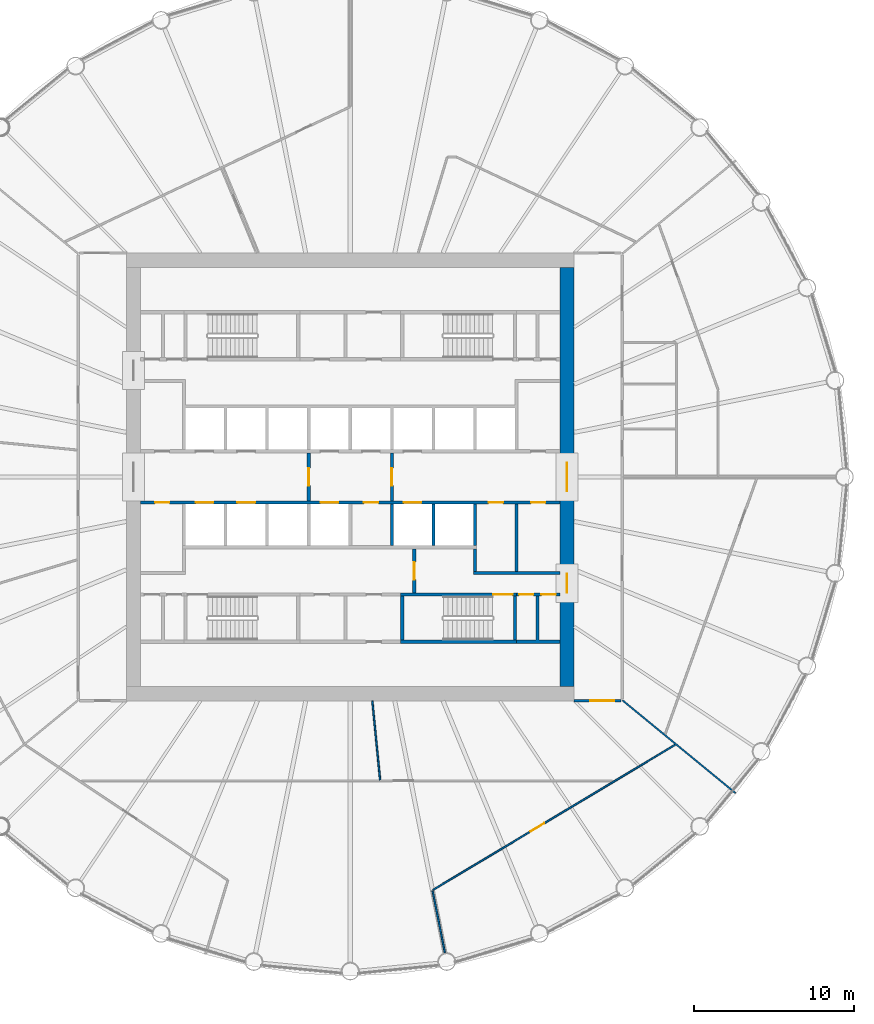
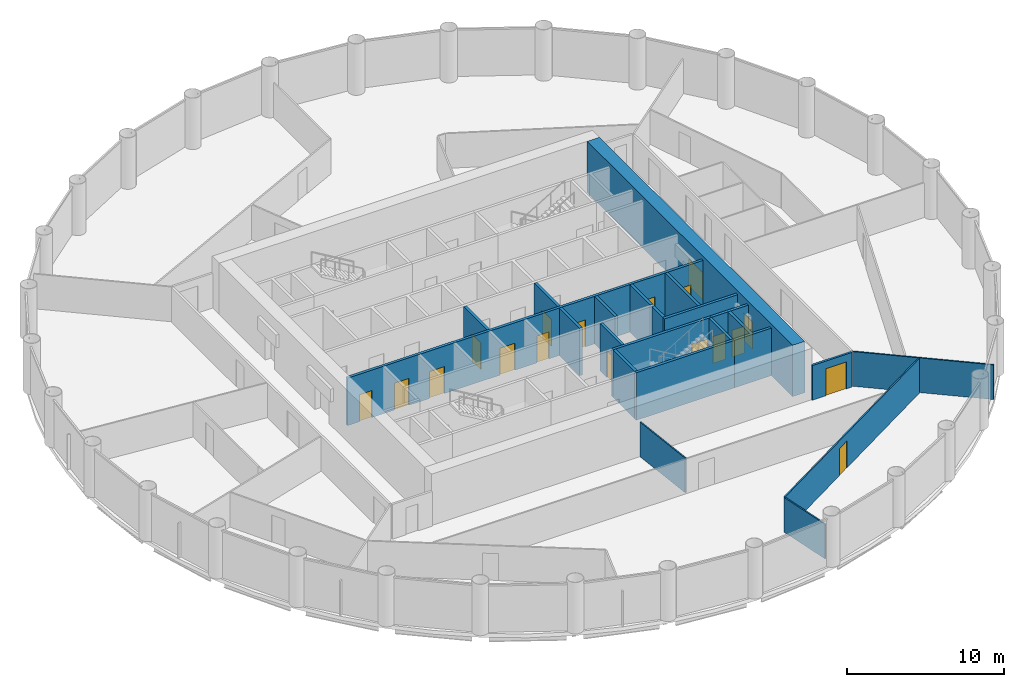
# One storey, part 5 of 8: 22 walls, 18 doors, 18 openings.
"""IFC4 building model written with IfcOpenShell, lengths in metres."""

from ifc_helpers import new_model, si_unit, direction, frame, frame_2d, origin, place, context, subcontext, project, spatial, polyline, rectangle, outline, extrude, material, layer, layer_set, type_object, element, fill, save


model = new_model("IFC4")

# Units and contexts
model_context = context("Model", 3, precision=1e-05, world=origin(), true_north=direction((0.0, 1.0)))
body_context = subcontext(model_context, "Body", "Model", "MODEL_VIEW")
ifc_project = project(units=[si_unit("LENGTHUNIT", "METRE"), si_unit("AREAUNIT", "SQUARE_METRE"), si_unit("VOLUMEUNIT", "CUBIC_METRE"), si_unit("PLANEANGLEUNIT", "RADIAN"), si_unit("MASSUNIT", "GRAM", prefix="KILO")], contexts=[model_context])

# Site, building, storey
site_placement = place(None, origin())
site = spatial("IfcSite", under=ifc_project, at=site_placement, CompositionType="ELEMENT")
building_placement = place(site_placement, origin())
building = spatial("IfcBuilding", under=site, at=building_placement, Name="Corvane Civic Tower", CompositionType="ELEMENT")
storey_placement = place(building_placement, frame((0.0, 0.0, 152.0)))
storey = spatial("IfcBuildingStorey", under=building, at=storey_placement, Name="L35", CompositionType="ELEMENT", Elevation=152.0)

# Wall, openings, doors
ifc_material_1 = material(Name="Concrete C60/75", Category="concrete")
ifc_layer_1 = layer(ifc_material_1, 0.89990234375)
ifc_layer_set_1 = layer_set([ifc_layer_1], Name="Concrete C60/75")
wall_type_1 = type_object("IfcWallType", Name="CORE WALL 900 C60/75", PredefinedType="SHEAR", material=ifc_layer_set_1)
wall_1_placement = place(storey_placement, frame((13.550048828125, -13.10009765625, 0.0), z_axis=(0.0, 0.0, 1.0), x_axis=(0.0, 1.0, 0.0)))
wall_1 = element("IfcWall", 1, at=wall_1_placement, inside=storey, type_object=wall_type_1, Name="W-L35-core-E", PredefinedType="SHEAR", context=body_context, shape_type="SweptSolid", body=[
    extrude(rectangle(XDim=26.2001953125, YDim=0.89990234375, at=frame_2d((13.10009765625, 0.0))), origin(), (0.0, 0.0, 1.0), 4.0),
])
opening_1_placement = place(wall_1_placement, frame((12.199951171875, 0.0, 0.0)))
opening_1 = element("IfcOpeningElement", 2, at=opening_1_placement, cuts=wall_1, Name="Opening L35.C29", PredefinedType="OPENING", context=body_context, shape_type="SweptSolid", body=[
    extrude(rectangle(XDim=1.800048828125, YDim=2.10009765625, at=frame_2d((0.89990234375, 1.050048828125))), frame((0.0, 0.4599609375, 0.0), z_axis=(0.0, -1.0, 0.0), x_axis=(1.0, 0.0, 0.0)), (0.0, 0.0, 1.0), 0.919921875),
])
opening_2_placement = place(wall_1_placement, frame((5.85009765625, 0.0, 0.0)))
opening_2 = element("IfcOpeningElement", 3, at=opening_2_placement, cuts=wall_1, Name="Opening L35.C31", PredefinedType="OPENING", context=body_context, shape_type="SweptSolid", body=[
    extrude(rectangle(XDim=1.199951171875, YDim=2.10009765625, at=frame_2d((0.60009765625, 1.050048828125))), frame((0.0, 0.4599609375, 0.0), z_axis=(0.0, -1.0, 0.0), x_axis=(1.0, 0.0, 0.0)), (0.0, 0.0, 1.0), 0.919921875),
])
ifc_material_2 = material(Name="Steel fire door leaf", Category="steel")
door_type_1 = type_object("IfcDoorType", Name="CR-DOOR-CORE-1800", OperationType="DOUBLE_DOOR_SINGLE_SWING", PredefinedType="DOOR", material=ifc_material_2)
door_1_placement = place(opening_1_placement, origin())
door_1 = element("IfcDoor", 4, at=door_1_placement, inside=storey, type_object=door_type_1, Name="L35 door", OperationType="DOUBLE_DOOR_SINGLE_SWING", OverallHeight=2.10009765625, OverallWidth=1.800048828125, PredefinedType="DOOR", context=body_context, shape_type="SweptSolid", body=[
    extrude(rectangle(XDim=1.800048828125, YDim=2.10009765625, at=frame_2d((0.89990234375, 1.050048828125))), frame((0.0, 0.02490234375, 0.0), z_axis=(0.0, -1.0, 0.0), x_axis=(1.0, 0.0, 0.0)), (0.0, 0.0, 1.0), 0.050048828125),
])
fill(opening_1, door_1)
door_2_placement = place(opening_2_placement, origin())
door_2 = element("IfcDoor", 5, at=door_2_placement, inside=storey, type_object=door_type_1, Name="L35 door", OperationType="DOUBLE_DOOR_SINGLE_SWING", OverallHeight=2.10009765625, OverallWidth=1.199951171875, PredefinedType="DOOR", context=body_context, shape_type="SweptSolid", body=[
    extrude(rectangle(XDim=1.199951171875, YDim=2.10009765625, at=frame_2d((0.60009765625, 1.050048828125))), frame((0.0, 0.02490234375, 0.0), z_axis=(0.0, -1.0, 0.0), x_axis=(1.0, 0.0, 0.0)), (0.0, 0.0, 1.0), 0.050048828125),
])
fill(opening_2, door_2)

ifc_material_3 = material(Name="Concrete C30/37", Category="concrete")
ifc_layer_2 = layer(ifc_material_3, 0.199951171875)
ifc_layer_set_2 = layer_set([ifc_layer_2], Name="Concrete C30/37")
wall_type_2 = type_object("IfcWallType", Name="CR-WALL-200", PredefinedType="PARTITIONING", material=ifc_layer_set_2)
wall_2_placement = place(storey_placement, frame((10.39990234375, -7.35009765625, 0.0), z_axis=(0.0, 0.0, 1.0), x_axis=(1.0, 0.0, 0.0)))
wall_2 = element("IfcWall", 6, at=wall_2_placement, inside=storey, type_object=wall_type_2, Name="L35 core partition wall", PredefinedType="PARTITIONING", context=body_context, shape_type="SweptSolid", body=[
    extrude(rectangle(XDim=2.7001953125, YDim=0.199951171875, at=frame_2d((1.35009765625, 0.0))), origin(), (0.0, 0.0, 1.0), 3.699951171875),
])
opening_3_placement = place(wall_2_placement, frame((0.14990234375, 0.0, 0.0)))
opening_3 = element("IfcOpeningElement", 7, at=opening_3_placement, cuts=wall_2, Name="Opening L35.C19", PredefinedType="OPENING", context=body_context, shape_type="SweptSolid", body=[
    extrude(rectangle(XDim=0.89990234375, YDim=2.10009765625, at=frame_2d((0.449951171875, 1.050048828125))), frame((0.0, 0.10986328125, 0.0), z_axis=(0.0, -1.0, 0.0), x_axis=(1.0, 0.0, 0.0)), (0.0, 0.0, 1.0), 0.219970703125),
])
opening_4_placement = place(wall_2_placement, frame((1.550048828125, 0.0, 0.0)))
opening_4 = element("IfcOpeningElement", 8, at=opening_4_placement, cuts=wall_2, Name="Opening L35.C20", PredefinedType="OPENING", context=body_context, shape_type="SweptSolid", body=[
    extrude(rectangle(XDim=0.89990234375, YDim=2.10009765625, at=frame_2d((0.449951171875, 1.050048828125))), frame((0.0, 0.10986328125, 0.0), z_axis=(0.0, -1.0, 0.0), x_axis=(1.0, 0.0, 0.0)), (0.0, 0.0, 1.0), 0.219970703125),
])
ifc_material_4 = material(Name="Steel fire door leaf", Category="steel")
door_type_2 = type_object("IfcDoorType", Name="CR-DOOR-900", OperationType="SINGLE_SWING_LEFT", PredefinedType="DOOR", material=ifc_material_4)
door_3_placement = place(opening_3_placement, origin())
door_3 = element("IfcDoor", 9, at=door_3_placement, inside=storey, type_object=door_type_2, Name="L35 door", OperationType="SINGLE_SWING_LEFT", OverallHeight=2.10009765625, OverallWidth=0.89990234375, PredefinedType="DOOR", context=body_context, shape_type="SweptSolid", body=[
    extrude(rectangle(XDim=0.89990234375, YDim=2.10009765625, at=frame_2d((0.449951171875, 1.050048828125))), frame((0.0, 0.02490234375, 0.0), z_axis=(0.0, -1.0, 0.0), x_axis=(1.0, 0.0, 0.0)), (0.0, 0.0, 1.0), 0.050048828125),
])
fill(opening_3, door_3)
door_4_placement = place(opening_4_placement, origin())
door_4 = element("IfcDoor", 10, at=door_4_placement, inside=storey, type_object=door_type_2, Name="L35 door", OperationType="SINGLE_SWING_LEFT", OverallHeight=2.10009765625, OverallWidth=0.89990234375, PredefinedType="DOOR", context=body_context, shape_type="SweptSolid", body=[
    extrude(rectangle(XDim=0.89990234375, YDim=2.10009765625, at=frame_2d((0.449951171875, 1.050048828125))), frame((0.0, 0.02490234375, 0.0), z_axis=(0.0, -1.0, 0.0), x_axis=(1.0, 0.0, 0.0)), (0.0, 0.0, 1.0), 0.050048828125),
])
fill(opening_4, door_4)

wall_3_placement = place(storey_placement, frame((-13.10009765625, -1.60009765625, 0.0), z_axis=(0.0, 0.0, 1.0), x_axis=(1.0, 0.0, 0.0)))
wall_3 = element("IfcWall", 11, at=wall_3_placement, inside=storey, type_object=wall_type_2, Name="L35 lift shaft wall", PredefinedType="PARTITIONING", context=body_context, shape_type="SweptSolid", body=[
    extrude(rectangle(XDim=26.2001953125, YDim=0.199951171875, at=frame_2d((13.10009765625, 0.0))), origin(), (0.0, 0.0, 1.0), 3.699951171875),
])
opening_5_placement = place(wall_3_placement, frame((3.449951171875, 0.0, 0.0)))
opening_5 = element("IfcOpeningElement", 12, at=opening_5_placement, cuts=wall_3, Name="Opening LD", PredefinedType="OPENING", context=body_context, shape_type="SweptSolid", body=[
    extrude(rectangle(XDim=1.10009765625, YDim=2.10009765625, at=frame_2d((0.550048828125, 1.050048828125))), frame((0.0, 0.10986328125, 0.0), z_axis=(0.0, -1.0, 0.0), x_axis=(1.0, 0.0, 0.0)), (0.0, 0.0, 1.0), 0.219970703125),
])
opening_6_placement = place(wall_3_placement, frame((6.050048828125, 0.0, 0.0)))
opening_6 = element("IfcOpeningElement", 13, at=opening_6_placement, cuts=wall_3, Name="Opening LD", PredefinedType="OPENING", context=body_context, shape_type="SweptSolid", body=[
    extrude(rectangle(XDim=1.10009765625, YDim=2.10009765625, at=frame_2d((0.550048828125, 1.050048828125))), frame((0.0, 0.10986328125, 0.0), z_axis=(0.0, -1.0, 0.0), x_axis=(1.0, 0.0, 0.0)), (0.0, 0.0, 1.0), 0.219970703125),
])
opening_7_placement = place(wall_3_placement, frame((11.25, 0.0, 0.0)))
opening_7 = element("IfcOpeningElement", 14, at=opening_7_placement, cuts=wall_3, Name="Opening LD", PredefinedType="OPENING", context=body_context, shape_type="SweptSolid", body=[
    extrude(rectangle(XDim=1.10009765625, YDim=2.10009765625, at=frame_2d((0.550048828125, 1.050048828125))), frame((0.0, 0.10986328125, 0.0), z_axis=(0.0, -1.0, 0.0), x_axis=(1.0, 0.0, 0.0)), (0.0, 0.0, 1.0), 0.219970703125),
])
opening_8_placement = place(wall_3_placement, frame((13.949951171875, 0.0, 0.0)))
opening_8 = element("IfcOpeningElement", 15, at=opening_8_placement, cuts=wall_3, Name="Opening L35.C03", PredefinedType="OPENING", context=body_context, shape_type="SweptSolid", body=[
    extrude(rectangle(XDim=0.89990234375, YDim=2.10009765625, at=frame_2d((0.449951171875, 1.050048828125))), frame((0.0, 0.10986328125, 0.0), z_axis=(0.0, -1.0, 0.0), x_axis=(1.0, 0.0, 0.0)), (0.0, 0.0, 1.0), 0.219970703125),
])
opening_9_placement = place(wall_3_placement, frame((16.449951171875, 0.0, 0.0)))
opening_9 = element("IfcOpeningElement", 16, at=opening_9_placement, cuts=wall_3, Name="Opening LD", PredefinedType="OPENING", context=body_context, shape_type="SweptSolid", body=[
    extrude(rectangle(XDim=1.10009765625, YDim=2.10009765625, at=frame_2d((0.550048828125, 1.050048828125))), frame((0.0, 0.10986328125, 0.0), z_axis=(0.0, -1.0, 0.0), x_axis=(1.0, 0.0, 0.0)), (0.0, 0.0, 1.0), 0.219970703125),
])
opening_10_placement = place(wall_3_placement, frame((0.89990234375, 0.0, 0.0)))
opening_10 = element("IfcOpeningElement", 17, at=opening_10_placement, cuts=wall_3, Name="Opening L35.C04", PredefinedType="OPENING", context=body_context, shape_type="SweptSolid", body=[
    extrude(rectangle(XDim=0.89990234375, YDim=2.10009765625, at=frame_2d((0.449951171875, 1.050048828125))), frame((0.0, 0.10986328125, 0.0), z_axis=(0.0, -1.0, 0.0), x_axis=(1.0, 0.0, 0.0)), (0.0, 0.0, 1.0), 0.219970703125),
])
opening_11_placement = place(wall_3_placement, frame((21.75, 0.0, 0.0)))
opening_11 = element("IfcOpeningElement", 18, at=opening_11_placement, cuts=wall_3, Name="Opening L35.C05", PredefinedType="OPENING", context=body_context, shape_type="SweptSolid", body=[
    extrude(rectangle(XDim=0.89990234375, YDim=2.10009765625, at=frame_2d((0.449951171875, 1.050048828125))), frame((0.0, 0.10986328125, 0.0), z_axis=(0.0, -1.0, 0.0), x_axis=(1.0, 0.0, 0.0)), (0.0, 0.0, 1.0), 0.219970703125),
])
opening_12_placement = place(wall_3_placement, frame((24.39990234375, 0.0, 0.0)))
opening_12 = element("IfcOpeningElement", 19, at=opening_12_placement, cuts=wall_3, Name="Opening L35.C06", PredefinedType="OPENING", context=body_context, shape_type="SweptSolid", body=[
    extrude(rectangle(XDim=0.89990234375, YDim=2.10009765625, at=frame_2d((0.449951171875, 1.050048828125))), frame((0.0, 0.10986328125, 0.0), z_axis=(0.0, -1.0, 0.0), x_axis=(1.0, 0.0, 0.0)), (0.0, 0.0, 1.0), 0.219970703125),
])
door_5_placement = place(opening_8_placement, origin())
door_5 = element("IfcDoor", 20, at=door_5_placement, inside=storey, type_object=door_type_2, Name="L35 door", OperationType="SINGLE_SWING_LEFT", OverallHeight=2.10009765625, OverallWidth=0.89990234375, PredefinedType="DOOR", context=body_context, shape_type="SweptSolid", body=[
    extrude(rectangle(XDim=0.89990234375, YDim=2.10009765625, at=frame_2d((0.449951171875, 1.050048828125))), frame((0.0, 0.02490234375, 0.0), z_axis=(0.0, -1.0, 0.0), x_axis=(1.0, 0.0, 0.0)), (0.0, 0.0, 1.0), 0.050048828125),
])
fill(opening_8, door_5)
door_6_placement = place(opening_10_placement, origin())
door_6 = element("IfcDoor", 21, at=door_6_placement, inside=storey, type_object=door_type_2, Name="L35 door", OperationType="SINGLE_SWING_LEFT", OverallHeight=2.10009765625, OverallWidth=0.89990234375, PredefinedType="DOOR", context=body_context, shape_type="SweptSolid", body=[
    extrude(rectangle(XDim=0.89990234375, YDim=2.10009765625, at=frame_2d((0.449951171875, 1.050048828125))), frame((0.0, 0.02490234375, 0.0), z_axis=(0.0, -1.0, 0.0), x_axis=(1.0, 0.0, 0.0)), (0.0, 0.0, 1.0), 0.050048828125),
])
fill(opening_10, door_6)
door_7_placement = place(opening_11_placement, origin())
door_7 = element("IfcDoor", 22, at=door_7_placement, inside=storey, type_object=door_type_2, Name="L35 door", OperationType="SINGLE_SWING_LEFT", OverallHeight=2.10009765625, OverallWidth=0.89990234375, PredefinedType="DOOR", context=body_context, shape_type="SweptSolid", body=[
    extrude(rectangle(XDim=0.89990234375, YDim=2.10009765625, at=frame_2d((0.449951171875, 1.050048828125))), frame((0.0, 0.02490234375, 0.0), z_axis=(0.0, -1.0, 0.0), x_axis=(1.0, 0.0, 0.0)), (0.0, 0.0, 1.0), 0.050048828125),
])
fill(opening_11, door_7)
door_8_placement = place(opening_12_placement, origin())
door_8 = element("IfcDoor", 23, at=door_8_placement, inside=storey, type_object=door_type_2, Name="L35 door", OperationType="SINGLE_SWING_LEFT", OverallHeight=2.10009765625, OverallWidth=0.89990234375, PredefinedType="DOOR", context=body_context, shape_type="SweptSolid", body=[
    extrude(rectangle(XDim=0.89990234375, YDim=2.10009765625, at=frame_2d((0.449951171875, 1.050048828125))), frame((0.0, 0.02490234375, 0.0), z_axis=(0.0, -1.0, 0.0), x_axis=(1.0, 0.0, 0.0)), (0.0, 0.0, 1.0), 0.050048828125),
])
fill(opening_12, door_8)
ifc_material_5 = material(Name="Stainless steel 316 door leaves", Category="steel")
door_type_3 = type_object("IfcDoorType", Name="LD", OperationType="DOUBLE_DOOR_SLIDING", PredefinedType="DOOR", material=ifc_material_5)
door_9_placement = place(opening_5_placement, origin())
door_9 = element("IfcDoor", 24, at=door_9_placement, inside=storey, type_object=door_type_3, Name="L35 landing door", OperationType="DOUBLE_DOOR_SLIDING", OverallHeight=2.10009765625, OverallWidth=1.10009765625, PredefinedType="DOOR", context=body_context, shape_type="SweptSolid", body=[
    extrude(rectangle(XDim=1.10009765625, YDim=2.10009765625, at=frame_2d((0.550048828125, 1.050048828125))), frame((0.0, 0.02490234375, 0.0), z_axis=(0.0, -1.0, 0.0), x_axis=(1.0, 0.0, 0.0)), (0.0, 0.0, 1.0), 0.050048828125),
])
fill(opening_5, door_9)
door_10_placement = place(opening_6_placement, origin())
door_10 = element("IfcDoor", 25, at=door_10_placement, inside=storey, type_object=door_type_3, Name="L35 landing door", OperationType="DOUBLE_DOOR_SLIDING", OverallHeight=2.10009765625, OverallWidth=1.10009765625, PredefinedType="DOOR", context=body_context, shape_type="SweptSolid", body=[
    extrude(rectangle(XDim=1.10009765625, YDim=2.10009765625, at=frame_2d((0.550048828125, 1.050048828125))), frame((0.0, 0.02490234375, 0.0), z_axis=(0.0, -1.0, 0.0), x_axis=(1.0, 0.0, 0.0)), (0.0, 0.0, 1.0), 0.050048828125),
])
fill(opening_6, door_10)
door_11_placement = place(opening_7_placement, origin())
door_11 = element("IfcDoor", 26, at=door_11_placement, inside=storey, type_object=door_type_3, Name="L35 landing door", OperationType="DOUBLE_DOOR_SLIDING", OverallHeight=2.10009765625, OverallWidth=1.10009765625, PredefinedType="DOOR", context=body_context, shape_type="SweptSolid", body=[
    extrude(rectangle(XDim=1.10009765625, YDim=2.10009765625, at=frame_2d((0.550048828125, 1.050048828125))), frame((0.0, 0.02490234375, 0.0), z_axis=(0.0, -1.0, 0.0), x_axis=(1.0, 0.0, 0.0)), (0.0, 0.0, 1.0), 0.050048828125),
])
fill(opening_7, door_11)
door_12_placement = place(opening_9_placement, origin())
door_12 = element("IfcDoor", 27, at=door_12_placement, inside=storey, type_object=door_type_3, Name="L35 landing door", OperationType="DOUBLE_DOOR_SLIDING", OverallHeight=2.10009765625, OverallWidth=1.10009765625, PredefinedType="DOOR", context=body_context, shape_type="SweptSolid", body=[
    extrude(rectangle(XDim=1.10009765625, YDim=2.10009765625, at=frame_2d((0.550048828125, 1.050048828125))), frame((0.0, 0.02490234375, 0.0), z_axis=(0.0, -1.0, 0.0), x_axis=(1.0, 0.0, 0.0)), (0.0, 0.0, 1.0), 0.050048828125),
])
fill(opening_9, door_12)

# Wall, opening, door
wall_4_placement = place(storey_placement, frame((-2.60009765625, -1.5, 0.0), z_axis=(0.0, 0.0, 1.0), x_axis=(0.0, 1.0, 0.0)))
wall_4 = element("IfcWall", 28, at=wall_4_placement, inside=storey, type_object=wall_type_2, Name="L35 firefighting lobby wall", PredefinedType="PARTITIONING", context=body_context, shape_type="SweptSolid", body=[
    extrude(rectangle(XDim=3.0, YDim=0.199951171875, at=frame_2d((1.5, 0.0))), origin(), (0.0, 0.0, 1.0), 3.699951171875),
])
opening_13_placement = place(wall_4_placement, frame((0.949951171875, 0.0, 0.0)))
opening_13 = element("IfcOpeningElement", 29, at=opening_13_placement, cuts=wall_4, Name="Opening L35.C25", PredefinedType="OPENING", context=body_context, shape_type="SweptSolid", body=[
    extrude(rectangle(XDim=1.10009765625, YDim=2.10009765625, at=frame_2d((0.550048828125, 1.050048828125))), frame((0.0, 0.10986328125, 0.0), z_axis=(0.0, -1.0, 0.0), x_axis=(1.0, 0.0, 0.0)), (0.0, 0.0, 1.0), 0.219970703125),
])
ifc_material_6 = material(Name="Steel fire door leaf", Category="steel")
door_type_4 = type_object("IfcDoorType", Name="CR-DOOR-FFL-1100", OperationType="SINGLE_SWING_LEFT", PredefinedType="DOOR", material=ifc_material_6)
door_13_placement = place(opening_13_placement, origin())
door_13 = element("IfcDoor", 30, at=door_13_placement, inside=storey, type_object=door_type_4, Name="L35 lobby door", OperationType="SINGLE_SWING_LEFT", OverallHeight=2.10009765625, OverallWidth=1.10009765625, PredefinedType="DOOR", context=body_context, shape_type="SweptSolid", body=[
    extrude(rectangle(XDim=1.10009765625, YDim=2.10009765625, at=frame_2d((0.550048828125, 1.050048828125))), frame((0.0, 0.02490234375, 0.0), z_axis=(0.0, -1.0, 0.0), x_axis=(1.0, 0.0, 0.0)), (0.0, 0.0, 1.0), 0.050048828125),
])
fill(opening_13, door_13)

wall_5_placement = place(storey_placement, frame((2.60009765625, -1.5, 0.0), z_axis=(0.0, 0.0, 1.0), x_axis=(0.0, 1.0, 0.0)))
wall_5 = element("IfcWall", 31, at=wall_5_placement, inside=storey, type_object=wall_type_2, Name="L35 firefighting lobby wall", PredefinedType="PARTITIONING", context=body_context, shape_type="SweptSolid", body=[
    extrude(rectangle(XDim=3.0, YDim=0.199951171875, at=frame_2d((1.5, 0.0))), origin(), (0.0, 0.0, 1.0), 3.699951171875),
])
opening_14_placement = place(wall_5_placement, frame((0.949951171875, 0.0, 0.0)))
opening_14 = element("IfcOpeningElement", 32, at=opening_14_placement, cuts=wall_5, Name="Opening L35.C26", PredefinedType="OPENING", context=body_context, shape_type="SweptSolid", body=[
    extrude(rectangle(XDim=1.10009765625, YDim=2.10009765625, at=frame_2d((0.550048828125, 1.050048828125))), frame((0.0, 0.10986328125, 0.0), z_axis=(0.0, -1.0, 0.0), x_axis=(1.0, 0.0, 0.0)), (0.0, 0.0, 1.0), 0.219970703125),
])
door_14_placement = place(opening_14_placement, origin())
door_14 = element("IfcDoor", 33, at=door_14_placement, inside=storey, type_object=door_type_4, Name="L35 lobby door", OperationType="SINGLE_SWING_LEFT", OverallHeight=2.10009765625, OverallWidth=1.10009765625, PredefinedType="DOOR", context=body_context, shape_type="SweptSolid", body=[
    extrude(rectangle(XDim=1.10009765625, YDim=2.10009765625, at=frame_2d((0.550048828125, 1.050048828125))), frame((0.0, 0.02490234375, 0.0), z_axis=(0.0, -1.0, 0.0), x_axis=(1.0, 0.0, 0.0)), (0.0, 0.0, 1.0), 0.050048828125),
])
fill(opening_14, door_14)

wall_6_placement = place(storey_placement, frame((4.0, -7.25, 0.0), z_axis=(0.0, 0.0, 1.0), x_axis=(0.0, 1.0, 0.0)))
wall_6 = element("IfcWall", 34, at=wall_6_placement, inside=storey, type_object=wall_type_2, Name="L35 core partition wall", PredefinedType="PARTITIONING", context=body_context, shape_type="SweptSolid", body=[
    extrude(rectangle(XDim=2.75, YDim=0.199951171875, at=frame_2d((1.375, 0.0))), origin(), (0.0, 0.0, 1.0), 3.699951171875),
])
opening_15_placement = place(wall_6_placement, frame((0.824951171875, 0.0, 0.0)))
opening_15 = element("IfcOpeningElement", 35, at=opening_15_placement, cuts=wall_6, Name="Opening L35.C27", PredefinedType="OPENING", context=body_context, shape_type="SweptSolid", body=[
    extrude(rectangle(XDim=1.10009765625, YDim=2.10009765625, at=frame_2d((0.550048828125, 1.050048828125))), frame((0.0, 0.10986328125, 0.0), z_axis=(0.0, -1.0, 0.0), x_axis=(1.0, 0.0, 0.0)), (0.0, 0.0, 1.0), 0.219970703125),
])
door_15_placement = place(opening_15_placement, origin())
door_15 = element("IfcDoor", 36, at=door_15_placement, inside=storey, type_object=door_type_4, Name="L35 lobby door", OperationType="SINGLE_SWING_LEFT", OverallHeight=2.10009765625, OverallWidth=1.10009765625, PredefinedType="DOOR", context=body_context, shape_type="SweptSolid", body=[
    extrude(rectangle(XDim=1.10009765625, YDim=2.10009765625, at=frame_2d((0.550048828125, 1.050048828125))), frame((0.0, 0.02490234375, 0.0), z_axis=(0.0, -1.0, 0.0), x_axis=(1.0, 0.0, 0.0)), (0.0, 0.0, 1.0), 0.050048828125),
])
fill(opening_15, door_15)

# Walls
wall_7_placement = place(storey_placement, origin())
element("IfcWall", 37, at=wall_7_placement, inside=storey, type_object=wall_type_2, Name="L35 core partition wall", PredefinedType="PARTITIONING", context=body_context, shape_type="SweptSolid", body=[
    extrude(outline(polyline([(13.10009765625, -6.10009765625), (7.699951171875, -6.10009765625), (7.699951171875, -5.89990234375), (13.10009765625, -5.89990234375), (13.10009765625, -6.10009765625)])), origin(), (0.0, 0.0, 1.0), 3.699951171875),
])
wall_8_placement = place(storey_placement, origin())
element("IfcWall", 38, at=wall_8_placement, inside=storey, type_object=wall_type_2, Name="L35 core partition wall", PredefinedType="PARTITIONING", context=body_context, shape_type="SweptSolid", body=[
    extrude(outline(polyline([(10.5, -1.699951171875), (10.5, -5.89990234375), (10.300048828125, -5.89990234375), (10.300048828125, -1.699951171875), (10.5, -1.699951171875)])), origin(), (0.0, 0.0, 1.0), 3.699951171875),
])
wall_9_placement = place(storey_placement, origin())
element("IfcWall", 39, at=wall_9_placement, inside=storey, type_object=wall_type_2, Name="L35 core partition wall", PredefinedType="PARTITIONING", context=body_context, shape_type="SweptSolid", body=[
    extrude(outline(polyline([(2.699951171875, -1.699951171875), (2.699951171875, -4.2998046875), (2.5, -4.2998046875), (2.5, -1.699951171875), (2.699951171875, -1.699951171875)])), origin(), (0.0, 0.0, 1.0), 3.699951171875),
])
wall_10_placement = place(storey_placement, origin())
element("IfcWall", 40, at=wall_10_placement, inside=storey, type_object=wall_type_2, Name="L35 core partition wall", PredefinedType="PARTITIONING", context=body_context, shape_type="SweptSolid", body=[
    extrude(outline(polyline([(5.300048828125, -1.699951171875), (5.300048828125, -4.2998046875), (5.10009765625, -4.2998046875), (5.10009765625, -1.699951171875), (5.300048828125, -1.699951171875)])), origin(), (0.0, 0.0, 1.0), 3.699951171875),
])
wall_11_placement = place(storey_placement, origin())
element("IfcWall", 41, at=wall_11_placement, inside=storey, type_object=wall_type_2, Name="L35 core partition wall", PredefinedType="PARTITIONING", context=body_context, shape_type="SweptSolid", body=[
    extrude(outline(polyline([(7.89990234375, -1.699951171875), (7.89990234375, -4.2998046875), (7.699951171875, -4.2998046875), (7.699951171875, -1.699951171875), (7.89990234375, -1.699951171875)])), origin(), (0.0, 0.0, 1.0), 3.699951171875),
])
wall_12_placement = place(storey_placement, origin())
element("IfcWall", 42, at=wall_12_placement, inside=storey, type_object=wall_type_2, Name="L35 core partition wall", PredefinedType="PARTITIONING", context=body_context, shape_type="SweptSolid", body=[
    extrude(outline(polyline([(7.89990234375, -5.89990234375), (7.699951171875, -5.89990234375), (7.699951171875, -4.5), (7.89990234375, -4.5), (7.89990234375, -5.89990234375)])), origin(), (0.0, 0.0, 1.0), 3.699951171875),
])
wall_13_placement = place(storey_placement, origin())
element("IfcWall", 43, at=wall_13_placement, inside=storey, type_object=wall_type_2, Name="L35 core partition wall", PredefinedType="PARTITIONING", context=body_context, shape_type="SweptSolid", body=[
    extrude(outline(polyline([(11.800048828125, -7.449951171875), (11.800048828125, -10.199951171875), (13.10009765625, -10.199951171875), (13.10009765625, -10.39990234375), (10.39990234375, -10.39990234375), (10.39990234375, -10.199951171875), (11.60009765625, -10.199951171875), (11.60009765625, -7.449951171875), (11.800048828125, -7.449951171875)])), origin(), (0.0, 0.0, 1.0), 3.699951171875),
])
ifc_material_7 = material(Name="Plasterboard")
ifc_layer_3 = layer(ifc_material_7, 0.10009765625)
ifc_layer_set_3 = layer_set([ifc_layer_3], Name="Plasterboard")
wall_type_3 = type_object("IfcWallType", Name="Partition 100 plasterboard on studs", PredefinedType="PARTITIONING", material=ifc_layer_set_3)
wall_14_placement = place(storey_placement, frame((5.146484375, -25.872802734375, 0.0), z_axis=(0.0, 0.0, 1.0), x_axis=(0.195120160049, -0.980779344778, 0.0)))
element("IfcWall", 44, at=wall_14_placement, inside=storey, type_object=wall_type_3, Name="Partition L35.002", PredefinedType="PARTITIONING", context=body_context, shape_type="SweptSolid", body=[
    extrude(rectangle(XDim=3.960205078125, YDim=0.10009765625, at=frame_2d((1.97998046875, 0.0))), origin(), (0.0, 0.0, 1.0), 2.699951171875),
])

# Wall, opening, door
wall_15_placement = place(storey_placement, frame((5.169677734375, -25.820068359375, 0.0), z_axis=(0.0, 0.0, 1.0), x_axis=(0.857733349265, 0.514094837126, 0.0)))
wall_15 = element("IfcWall", 45, at=wall_15_placement, inside=storey, type_object=wall_type_3, Name="Partition L35.003", PredefinedType="PARTITIONING", context=body_context, shape_type="SweptSolid", body=[
    extrude(rectangle(XDim=17.644287109375, YDim=0.10009765625, at=frame_2d((8.822265625, 0.0))), origin(), (0.0, 0.0, 1.0), 2.699951171875),
])
opening_16_placement = place(wall_15_placement, frame((7.110107421875, 0.0, 0.0)))
opening_16 = element("IfcOpeningElement", 46, at=opening_16_placement, cuts=wall_15, Name="Opening L35.005", PredefinedType="OPENING", context=body_context, shape_type="SweptSolid", body=[
    extrude(rectangle(XDim=1.0, YDim=2.10009765625, at=frame_2d((0.5, 1.050048828125))), frame((0.0, 0.06005859375, 0.0), z_axis=(0.0, -1.0, 0.0), x_axis=(1.0, 0.0, 0.0)), (0.0, 0.0, 1.0), 0.1201171875),
])
ifc_material_8 = material(Name="Timber", Category="wood")
door_type_5 = type_object("IfcDoorType", Name="Single door 1000", OperationType="NOTDEFINED", PredefinedType="DOOR", material=ifc_material_8)
door_16_placement = place(opening_16_placement, frame((1.0, 0.0, 0.0), z_axis=(0.0, 0.0, 1.0), x_axis=(-1.0, 0.0, 0.0)))
door_16 = element("IfcDoor", 47, at=door_16_placement, inside=storey, type_object=door_type_5, Name="Door L35.005", OperationType="SINGLE_SWING_RIGHT", OverallHeight=2.10009765625, OverallWidth=1.0, PredefinedType="DOOR", context=body_context, shape_type="SweptSolid", body=[
    extrude(rectangle(XDim=1.0, YDim=2.10009765625, at=frame_2d((0.5, 1.050048828125))), frame((0.0, 0.02490234375, 0.0), z_axis=(0.0, -1.0, 0.0), x_axis=(1.0, 0.0, 0.0)), (0.0, 0.0, 1.0), 0.050048828125),
])
fill(opening_16, door_16)

# Walls
wall_16_placement = place(storey_placement, frame((17.018310546875, -13.966552734375, 0.0), z_axis=(0.0, 0.0, 1.0), x_axis=(0.773006154143, -0.634398522742, 0.0)))
element("IfcWall", 48, at=wall_16_placement, inside=storey, type_object=wall_type_3, Name="Partition L35.006", PredefinedType="PARTITIONING", context=body_context, shape_type="SweptSolid", body=[
    extrude(rectangle(XDim=9.134521484375, YDim=0.10009765625, at=frame_2d((4.5673828125, 0.0))), origin(), (0.0, 0.0, 1.0), 2.699951171875),
])
wall_17_placement = place(storey_placement, frame((1.37890625, -14.0, 0.0), z_axis=(0.0, 0.0, 1.0), x_axis=(0.098019895744, -0.995184455284, 0.0)))
element("IfcWall", 49, at=wall_17_placement, inside=storey, type_object=wall_type_3, Name="Partition L35.008", PredefinedType="PARTITIONING", context=body_context, shape_type="SweptSolid", body=[
    extrude(rectangle(XDim=4.968994140625, YDim=0.10009765625, at=frame_2d((2.484375, 0.0))), origin(), (0.0, 0.0, 1.0), 2.699951171875),
])

# Wall, opening, door
ifc_material_9 = material(Name="Concrete C50/60", Category="concrete")
ifc_layer_4 = layer(ifc_material_9, 0.199951171875)
ifc_layer_set_4 = layer_set([ifc_layer_4], Name="Concrete C50/60")
wall_type_4 = type_object("IfcWallType", Name="ST-WALL-200", PredefinedType="SHEAR", material=ifc_layer_set_4)
wall_18_placement = place(storey_placement, frame((3.14990234375, -7.35009765625, 0.0), z_axis=(0.0, 0.0, 1.0), x_axis=(1.0, 0.0, 0.0)))
wall_18 = element("IfcWall", 50, at=wall_18_placement, inside=storey, type_object=wall_type_4, Name="L35 stair enclosure wall", PredefinedType="SHEAR", context=body_context, shape_type="SweptSolid", body=[
    extrude(rectangle(XDim=7.25, YDim=0.199951171875, at=frame_2d((3.625, 0.0))), origin(), (0.0, 0.0, 1.0), 3.699951171875),
])
opening_17_placement = place(wall_18_placement, frame((5.800048828125, 0.0, 0.0)))
opening_17 = element("IfcOpeningElement", 51, at=opening_17_placement, cuts=wall_18, Name="Opening L35.C23", PredefinedType="OPENING", context=body_context, shape_type="SweptSolid", body=[
    extrude(rectangle(XDim=1.199951171875, YDim=2.10009765625, at=frame_2d((0.60009765625, 1.050048828125))), frame((0.0, 0.10986328125, 0.0), z_axis=(0.0, -1.0, 0.0), x_axis=(1.0, 0.0, 0.0)), (0.0, 0.0, 1.0), 0.219970703125),
])
ifc_material_10 = material(Name="Steel fire door leaf", Category="steel")
door_type_6 = type_object("IfcDoorType", Name="ST-DOOR-1200", OperationType="SINGLE_SWING_RIGHT", PredefinedType="DOOR", material=ifc_material_10)
door_17_placement = place(opening_17_placement, origin())
door_17 = element("IfcDoor", 52, at=door_17_placement, inside=storey, type_object=door_type_6, Name="L35 stair door", OperationType="SINGLE_SWING_RIGHT", OverallHeight=2.10009765625, OverallWidth=1.199951171875, PredefinedType="DOOR", context=body_context, shape_type="SweptSolid", body=[
    extrude(rectangle(XDim=1.199951171875, YDim=2.10009765625, at=frame_2d((0.60009765625, 1.050048828125))), frame((0.0, 0.02490234375, 0.0), z_axis=(0.0, -1.0, 0.0), x_axis=(1.0, 0.0, 0.0)), (0.0, 0.0, 1.0), 0.050048828125),
])
fill(opening_17, door_17)

# Walls
wall_19_placement = place(storey_placement, origin())
element("IfcWall", 53, at=wall_19_placement, inside=storey, type_object=wall_type_4, Name="L35 stair enclosure wall", PredefinedType="SHEAR", context=body_context, shape_type="SweptSolid", body=[
    extrude(outline(polyline([(10.39990234375, -10.39990234375), (3.14990234375, -10.39990234375), (3.14990234375, -10.199951171875), (10.39990234375, -10.199951171875), (10.39990234375, -10.39990234375)])), origin(), (0.0, 0.0, 1.0), 3.699951171875),
])
wall_20_placement = place(storey_placement, origin())
element("IfcWall", 54, at=wall_20_placement, inside=storey, type_object=wall_type_4, Name="L35 stair enclosure wall", PredefinedType="SHEAR", context=body_context, shape_type="SweptSolid", body=[
    extrude(outline(polyline([(3.35009765625, -7.449951171875), (3.35009765625, -10.199951171875), (3.14990234375, -10.199951171875), (3.14990234375, -7.449951171875), (3.35009765625, -7.449951171875)])), origin(), (0.0, 0.0, 1.0), 3.699951171875),
])
wall_21_placement = place(storey_placement, origin())
element("IfcWall", 55, at=wall_21_placement, inside=storey, type_object=wall_type_4, Name="L35 stair enclosure wall", PredefinedType="SHEAR", context=body_context, shape_type="SweptSolid", body=[
    extrude(outline(polyline([(10.39990234375, -7.449951171875), (10.39990234375, -10.199951171875), (10.199951171875, -10.199951171875), (10.199951171875, -7.449951171875), (10.39990234375, -7.449951171875)])), origin(), (0.0, 0.0, 1.0), 3.699951171875),
])

# Wall, opening, door
ifc_material_11 = material(Name="Plasterboard")
ifc_layer_5 = layer(ifc_material_11, 0.14990234375)
ifc_layer_set_5 = layer_set([ifc_layer_5], Name="Plasterboard")
wall_type_5 = type_object("IfcWallType", Name="Tenancy wall 150 EI 60", PredefinedType="PARTITIONING", material=ifc_layer_set_5)
wall_22_placement = place(storey_placement, frame((13.989990234375, -14.0, 0.0), z_axis=(0.0, 0.0, 1.0), x_axis=(1.0, 0.0, 0.0)))
wall_22 = element("IfcWall", 56, at=wall_22_placement, inside=storey, type_object=wall_type_5, Name="Partition L35.012", PredefinedType="PARTITIONING", context=body_context, shape_type="SweptSolid", body=[
    extrude(rectangle(XDim=2.93505859375, YDim=0.14990234375, at=frame_2d((1.467529296875, 0.0))), origin(), (0.0, 0.0, 1.0), 2.699951171875),
])
opening_18_placement = place(wall_22_placement, frame((1.0048828125, 0.0, 0.0)))
opening_18 = element("IfcOpeningElement", 57, at=opening_18_placement, cuts=wall_22, Name="Opening L35.008", PredefinedType="OPENING", context=body_context, shape_type="SweptSolid", body=[
    extrude(rectangle(XDim=1.5, YDim=2.10009765625, at=frame_2d((0.75, 1.050048828125))), frame((0.0, 0.0849609375, 0.0), z_axis=(0.0, -1.0, 0.0), x_axis=(1.0, 0.0, 0.0)), (0.0, 0.0, 1.0), 0.169921875),
])
ifc_material_12 = material(Name="Steel and timber", Category="steel")
door_type_7 = type_object("IfcDoorType", Name="Fire door FD60 double 1500", OperationType="NOTDEFINED", PredefinedType="DOOR", material=ifc_material_12)
door_18_placement = place(opening_18_placement, frame((1.5, 0.0, 0.0), z_axis=(0.0, 0.0, 1.0), x_axis=(-1.0, 0.0, 0.0)))
door_18 = element("IfcDoor", 58, at=door_18_placement, inside=storey, type_object=door_type_7, Name="Door L35.008", OperationType="DOUBLE_DOOR_SINGLE_SWING", OverallHeight=2.10009765625, OverallWidth=1.5, PredefinedType="DOOR", context=body_context, shape_type="SweptSolid", body=[
    extrude(rectangle(XDim=1.5, YDim=2.10009765625, at=frame_2d((0.75, 1.050048828125))), frame((0.0, 0.02490234375, 0.0), z_axis=(0.0, -1.0, 0.0), x_axis=(1.0, 0.0, 0.0)), (0.0, 0.0, 1.0), 0.050048828125),
])
fill(opening_18, door_18)

save(model, "model.ifc")
